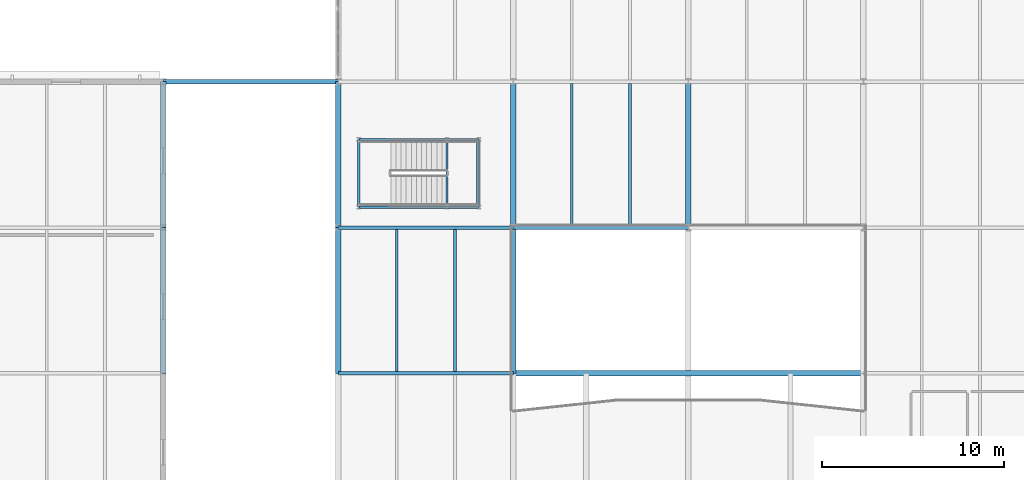
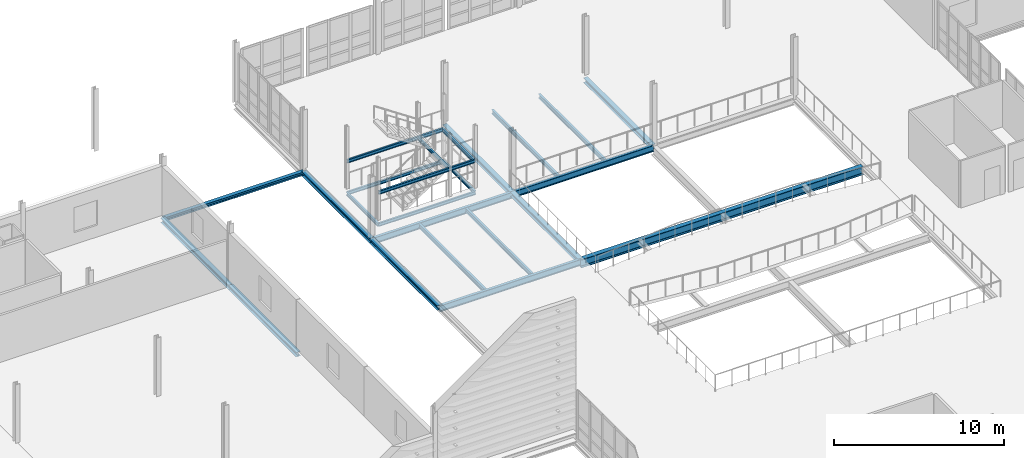
# One storey, part 32 of 73: 24 beams.
"""IFC4 building model written with IfcOpenShell, lengths in metres."""

from ifc_helpers import new_model, si_unit, direction, frame, origin, origin_2d, place, context, subcontext, project, spatial, i_section, extrude, material, material_profile, profile_set, type_object, element, save


model = new_model("IFC4")

# Units and contexts
model_context = context("Model", 3, precision=1e-05, world=origin(), true_north=direction((0.0, 1.0)))
body_context = subcontext(model_context, "Body", "Model", "MODEL_VIEW")
ifc_project = project(units=[si_unit("LENGTHUNIT", "METRE"), si_unit("AREAUNIT", "SQUARE_METRE"), si_unit("VOLUMEUNIT", "CUBIC_METRE"), si_unit("PLANEANGLEUNIT", "RADIAN"), si_unit("MASSUNIT", "GRAM", prefix="KILO")], contexts=[model_context])

# Site, building, storey
site_placement = place(None, origin())
site = spatial("IfcSite", under=ifc_project, at=site_placement, CompositionType="ELEMENT")
building_placement = place(site_placement, origin())
building = spatial("IfcBuilding", under=site, at=building_placement, Name="Alderhovde Museum", CompositionType="ELEMENT")
storey_placement = place(building_placement, frame((0.0, 0.0, 12.89990234375)))
storey = spatial("IfcBuildingStorey", under=building, at=storey_placement, Name="L03", CompositionType="ELEMENT", Elevation=12.89990234375)

# Beams
ifc_material_1 = material(Name="Steel S355J2", Category="steel")
ifc_material_profile_1 = material_profile(ifc_material_1, i_section(OverallWidth=0.300048828125, OverallDepth=0.330078125, WebThickness=0.009521484375, FlangeThickness=0.0166015625, FilletRadius=0.027099609375, at=origin_2d()), Name="HEA 340")
ifc_profile_set_1 = profile_set([ifc_material_profile_1], Name="Steel S355J2")
beam_type_1 = type_object("IfcBeamType", Name="BM-HEA340", PredefinedType="BEAM", material=ifc_profile_set_1)
for number, where, z_axis, x_axis, name in (
    (1, (67.199951171875, 64.0, -0.4248046875), (0.0, 1.0, 0.0), (-1.0, 0.0, 0.0), "L03 Grid Beam X=67.2 (64.0 TO 72.0)"),
    (2, (67.199951171875, 72.0, -0.4248046875), (0.0, 1.0, 0.0), (-1.0, 0.0, 0.0), "L03 Grid Beam X=67.2 (72.0 TO 80.0)"),
    (3, (76.800048828125, 64.0, -0.4248046875), (0.0, 1.0, 0.0), (-1.0, 0.0, 0.0), "L03 Grid Beam X=76.8 (64.0 TO 72.0)"),
    (4, (76.800048828125, 72.0, -0.4248046875), (0.0, 1.0, 0.0), (-1.0, 0.0, 0.0), "L03 Grid Beam X=76.8 (72.0 TO 80.0)"),
    (5, (86.39990234375, 64.0, -0.4248046875), (0.0, 1.0, 0.0), (-1.0, 0.0, 0.0), "L03 Grid Beam X=86.4 (64.0 TO 72.0)"),
    (6, (86.39990234375, 72.0, -0.4248046875), (0.0, 1.0, 0.0), (-1.0, 0.0, 0.0), "L03 Grid Beam X=86.4 (72.0 TO 80.0)"),
    (7, (96.0, 72.0, -0.4248046875), (0.0, 1.0, 0.0), (-1.0, 0.0, 0.0), "L03 Grid Beam X=96.0 (72.0 TO 80.0)"),
):
    element("IfcBeam", number, at=place(storey_placement, frame(where, z_axis=z_axis, x_axis=x_axis)), inside=storey, type_object=beam_type_1, Name=name, PredefinedType="BEAM", context=body_context, shape_type="SweptSolid", body=[
        extrude(i_section(OverallWidth=0.300048828125, OverallDepth=0.330078125, WebThickness=0.009521484375, FlangeThickness=0.0166015625, FilletRadius=0.027099609375, at=origin_2d()), origin(), (0.0, 0.0, 1.0), 8.0),
    ])
ifc_material_2 = material(Name="Steel S355J2", Category="steel")
ifc_material_profile_2 = material_profile(ifc_material_2, i_section(OverallWidth=0.300048828125, OverallDepth=0.60009765625, WebThickness=0.015380859375, FlangeThickness=0.030029296875, FilletRadius=0.027099609375, at=origin_2d()), Name="HEB 600")
ifc_profile_set_2 = profile_set([ifc_material_profile_2], Name="Steel S355J2")
beam_type_2 = type_object("IfcBeamType", Name="BM-HEB600", PredefinedType="BEAM", material=ifc_profile_set_2)
beam_1_placement = place(storey_placement, frame((86.39990234375, 64.0, -0.559814453125), z_axis=(1.0, 0.0, 0.0), x_axis=(0.0, 1.0, 0.0)))
element("IfcBeam", 8, at=beam_1_placement, inside=storey, type_object=beam_type_2, Name="L03 Grid Beam Y=64.0 (86.4 TO 105.6)", PredefinedType="BEAM", context=body_context, shape_type="SweptSolid", body=[
    extrude(i_section(OverallWidth=0.300048828125, OverallDepth=0.60009765625, WebThickness=0.015380859375, FlangeThickness=0.030029296875, FilletRadius=0.027099609375, at=origin_2d()), origin(), (0.0, 0.0, 1.0), 19.2001953125),
])
ifc_material_3 = material(Name="Steel S355J2", Category="steel")
ifc_material_profile_3 = material_profile(ifc_material_3, i_section(OverallWidth=0.1201171875, OverallDepth=0.239990234375, WebThickness=0.006103515625, FlangeThickness=0.009765625, FilletRadius=0.014892578125, at=origin_2d()), Name="IPE 240")
ifc_profile_set_3 = profile_set([ifc_material_profile_3], Name="Steel S355J2")
beam_type_3 = type_object("IfcBeamType", Name="BM-IPE240", PredefinedType="BEAM", material=ifc_profile_set_3)
for number, where, z_axis, x_axis, name in (
    (9, (77.919921875, 73.1201171875, -0.3798828125), (1.0, 0.0, 0.0), (0.0, 1.0, 0.0), "L03 Stair ST5 Floor Trimmer S"),
    (10, (77.919921875, 76.840087890625, -0.3798828125), (1.0, 0.0, 0.0), (0.0, 1.0, 0.0), "L03 Stair ST5 Floor Trimmer N"),
):
    element("IfcBeam", number, at=place(storey_placement, frame(where, z_axis=z_axis, x_axis=x_axis)), inside=storey, type_object=beam_type_3, Name=name, PredefinedType="BEAM", context=body_context, shape_type="SweptSolid", body=[
        extrude(i_section(OverallWidth=0.1201171875, OverallDepth=0.239990234375, WebThickness=0.006103515625, FlangeThickness=0.009765625, FilletRadius=0.014892578125, at=origin_2d()), origin(), (0.0, 0.0, 1.0), 6.60009765625),
    ])
for number, where, z_axis, x_axis, name in (
    (11, (77.919921875, 73.1201171875, -0.3798828125), (0.0, 1.0, 0.0), (-1.0, 0.0, 0.0), "L03 Stair ST5 Floor Trimmer W"),
    (12, (84.52001953125, 73.1201171875, -0.3798828125), (0.0, 1.0, 0.0), (-1.0, 0.0, 0.0), "L03 Stair ST5 Floor Trimmer E"),
):
    element("IfcBeam", number, at=place(storey_placement, frame(where, z_axis=z_axis, x_axis=x_axis)), inside=storey, type_object=beam_type_3, Name=name, PredefinedType="BEAM", context=body_context, shape_type="SweptSolid", body=[
        extrude(i_section(OverallWidth=0.1201171875, OverallDepth=0.239990234375, WebThickness=0.006103515625, FlangeThickness=0.009765625, FilletRadius=0.014892578125, at=origin_2d()), origin(), (0.0, 0.0, 1.0), 3.719970703125),
    ])
for number, where, z_axis, x_axis, name in (
    (13, (77.919921875, 73.1201171875, 1.93017578125), (1.0, 0.0, 0.0), (0.0, 1.0, 0.0), "L03 Stair ST5 Landing 1 Beam S"),
    (14, (77.919921875, 76.840087890625, 1.93017578125), (1.0, 0.0, 0.0), (0.0, 1.0, 0.0), "L03 Stair ST5 Landing 1 Beam N"),
):
    element("IfcBeam", number, at=place(storey_placement, frame(where, z_axis=z_axis, x_axis=x_axis)), inside=storey, type_object=beam_type_3, Name=name, PredefinedType="BEAM", context=body_context, shape_type="SweptSolid", body=[
        extrude(i_section(OverallWidth=0.1201171875, OverallDepth=0.239990234375, WebThickness=0.006103515625, FlangeThickness=0.009765625, FilletRadius=0.014892578125, at=origin_2d()), origin(), (0.0, 0.0, 1.0), 6.60009765625),
    ])
for number, where, z_axis, x_axis, name in (
    (15, (82.760009765625, 73.1201171875, 1.93017578125), (0.0, 1.0, 0.0), (-1.0, 0.0, 0.0), "L03 Stair ST5 Landing 1 Beam W"),
    (16, (84.43994140625, 73.1201171875, 1.93017578125), (0.0, 1.0, 0.0), (-1.0, 0.0, 0.0), "L03 Stair ST5 Landing 1 Beam E"),
):
    element("IfcBeam", number, at=place(storey_placement, frame(where, z_axis=z_axis, x_axis=x_axis)), inside=storey, type_object=beam_type_3, Name=name, PredefinedType="BEAM", context=body_context, shape_type="SweptSolid", body=[
        extrude(i_section(OverallWidth=0.1201171875, OverallDepth=0.239990234375, WebThickness=0.006103515625, FlangeThickness=0.009765625, FilletRadius=0.014892578125, at=origin_2d()), origin(), (0.0, 0.0, 1.0), 3.719970703125),
    ])
ifc_material_4 = material(Name="Steel S355J2", Category="steel")
ifc_material_profile_4 = material_profile(ifc_material_4, i_section(OverallWidth=0.18994140625, OverallDepth=0.449951171875, WebThickness=0.009521484375, FlangeThickness=0.0146484375, FilletRadius=0.02099609375, at=origin_2d()), Name="IPE 450")
ifc_profile_set_4 = profile_set([ifc_material_profile_4], Name="Steel S355J2")
beam_type_4 = type_object("IfcBeamType", Name="BM-IPE450", PredefinedType="BEAM", material=ifc_profile_set_4)
for number, where, z_axis, x_axis, name in (
    (17, (76.800048828125, 64.0, -0.48486328125), (1.0, 0.0, 0.0), (0.0, 1.0, 0.0), "L03 Grid Beam Y=64.0 (76.8 TO 86.4)"),
    (18, (76.800048828125, 72.0, -0.48486328125), (1.0, 0.0, 0.0), (0.0, 1.0, 0.0), "L03 Grid Beam Y=72.0 (76.8 TO 86.4)"),
):
    element("IfcBeam", number, at=place(storey_placement, frame(where, z_axis=z_axis, x_axis=x_axis)), inside=storey, type_object=beam_type_4, Name=name, PredefinedType="BEAM", context=body_context, shape_type="SweptSolid", body=[
        extrude(i_section(OverallWidth=0.18994140625, OverallDepth=0.449951171875, WebThickness=0.009521484375, FlangeThickness=0.0146484375, FilletRadius=0.02099609375, at=origin_2d()), origin(), (0.0, 0.0, 1.0), 9.599853515625),
    ])
beam_2_placement = place(storey_placement, frame((86.39990234375, 72.0, -0.48486328125), z_axis=(1.0, 0.0, 0.0), x_axis=(0.0, 1.0, 0.0)))
element("IfcBeam", 19, at=beam_2_placement, inside=storey, type_object=beam_type_4, Name="L03 Grid Beam Y=72.0 (86.4 TO 96.0)", PredefinedType="BEAM", context=body_context, shape_type="SweptSolid", body=[
    extrude(i_section(OverallWidth=0.18994140625, OverallDepth=0.449951171875, WebThickness=0.009521484375, FlangeThickness=0.0146484375, FilletRadius=0.02099609375, at=origin_2d()), origin(), (0.0, 0.0, 1.0), 9.60009765625),
])
ifc_material_5 = material(Name="Steel S355J2", Category="steel")
ifc_material_profile_5 = material_profile(ifc_material_5, i_section(OverallWidth=0.14990234375, OverallDepth=0.300048828125, WebThickness=0.007080078125, FlangeThickness=0.0107421875, FilletRadius=0.014892578125, at=origin_2d()), Name="IPE 300")
ifc_profile_set_5 = profile_set([ifc_material_profile_5], Name="Steel S355J2")
beam_type_5 = type_object("IfcBeamType", Name="JST-IPE300", PredefinedType="JOIST", material=ifc_profile_set_5)
for number, where, z_axis, x_axis, name in (
    (20, (80.0, 64.094970703125, -0.409912109375), (0.0, 1.0, 0.0), (-1.0, 0.0, 0.0), "L03 Composite Joist X=80.0 (64.0 TO 72.0)"),
    (21, (83.199951171875, 64.094970703125, -0.409912109375), (0.0, 1.0, 0.0), (-1.0, 0.0, 0.0), "L03 Composite Joist X=83.2 (64.0 TO 72.0)"),
    (22, (89.60009765625, 72.094970703125, -0.409912109375), (0.0, 1.0, 0.0), (-1.0, 0.0, 0.0), "L03 Composite Joist X=89.6 (72.0 TO 80.0)"),
    (23, (92.800048828125, 72.094970703125, -0.409912109375), (0.0, 1.0, 0.0), (-1.0, 0.0, 0.0), "L03 Composite Joist X=92.8 (72.0 TO 80.0)"),
):
    element("IfcBeam", number, at=place(storey_placement, frame(where, z_axis=z_axis, x_axis=x_axis)), inside=storey, type_object=beam_type_5, Name=name, PredefinedType="JOIST", context=body_context, shape_type="SweptSolid", body=[
        extrude(i_section(OverallWidth=0.14990234375, OverallDepth=0.300048828125, WebThickness=0.007080078125, FlangeThickness=0.0107421875, FilletRadius=0.014892578125, at=origin_2d()), origin(), (0.0, 0.0, 1.0), 7.81005859375),
    ])
ifc_material_6 = material(Name="Steel S355J2", Category="steel")
ifc_material_profile_6 = material_profile(ifc_material_6, i_section(OverallWidth=0.260009765625, OverallDepth=0.25, WebThickness=0.007568359375, FlangeThickness=0.012451171875, FilletRadius=0.02392578125, at=origin_2d()), Name="HEA 260")
ifc_profile_set_6 = profile_set([ifc_material_profile_6], Name="Steel S355J2")
beam_type_6 = type_object("IfcBeamType", Name="SPD-HEA260", PredefinedType="SPANDREL", material=ifc_profile_set_6)
beam_3_placement = place(storey_placement, frame((67.199951171875, 80.0, -0.385009765625), z_axis=(1.0, 0.0, 0.0), x_axis=(0.0, 1.0, 0.0)))
element("IfcBeam", 24, at=beam_3_placement, inside=storey, type_object=beam_type_6, Name="L03 Folded Wing Fascia Beam Y=80", PredefinedType="SPANDREL", context=body_context, shape_type="SweptSolid", body=[
    extrude(i_section(OverallWidth=0.260009765625, OverallDepth=0.25, WebThickness=0.007568359375, FlangeThickness=0.012451171875, FilletRadius=0.02392578125, at=origin_2d()), origin(), (0.0, 0.0, 1.0), 9.60009765625),
])

save(model, "model.ifc")
